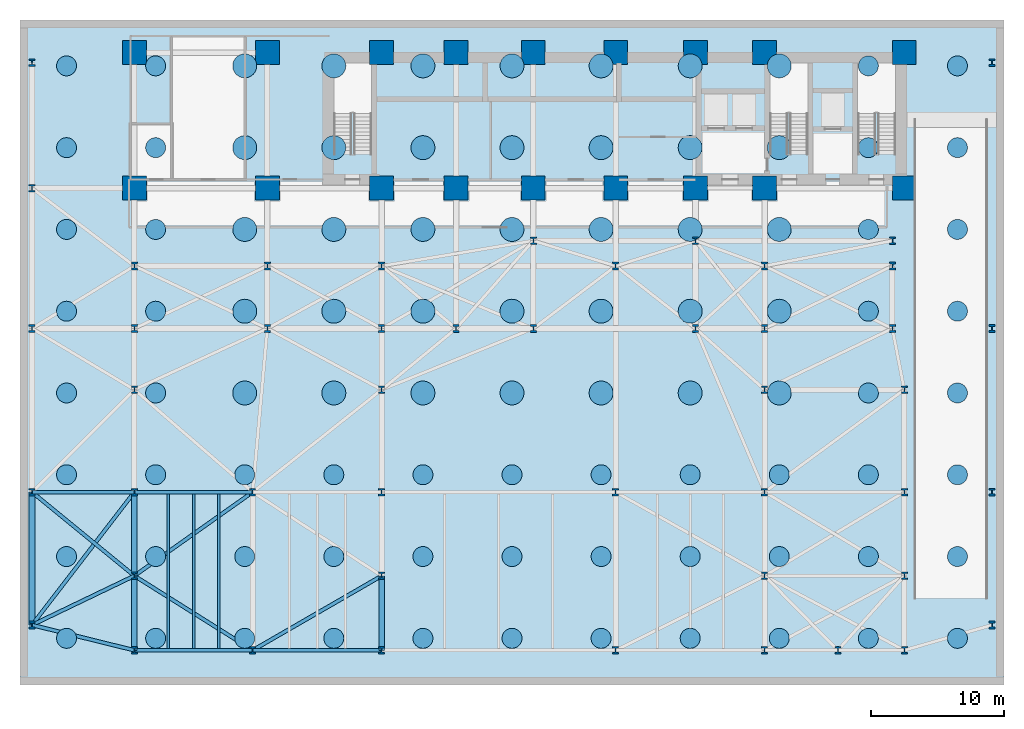
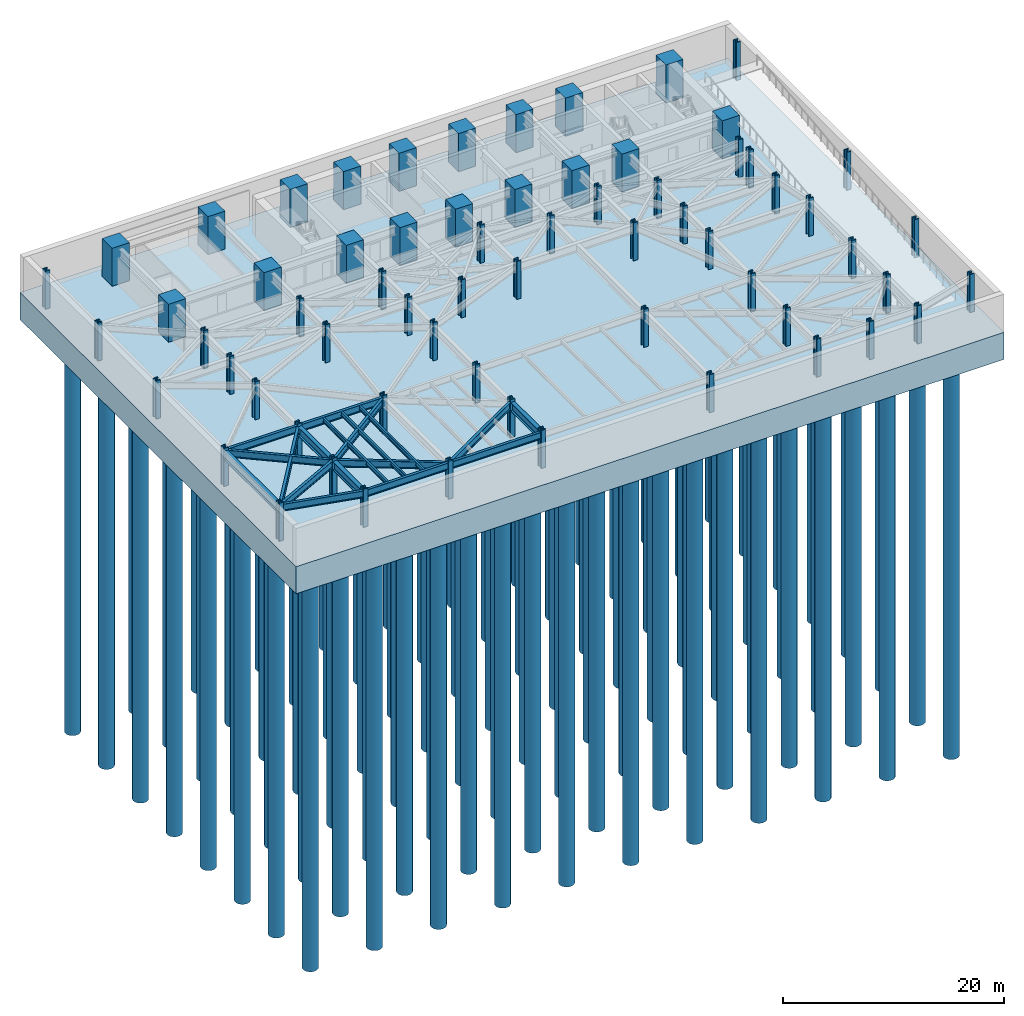
# One storey, part 1 of 12: 88 piles, 65 columns, 18 beams, 1 footing.
"""IFC4 building model written with IfcOpenShell, lengths in metres."""

import ifcopenshell
import ifcopenshell.guid

model = None  # the IFC model being written
_history = None  # IfcOwnerHistory: only IFC2X3 demands one
_inside = {}  # id of a spatial element -> (the spatial element, [elements in it])
_under = {}  # id of a project, library or spatial element -> (it, [spatial elements below it])
_declared = {}  # id of a project -> (the project, [libraries it declares])
_typed = {}  # id of a type object -> (the type object, [elements of that type])
_made_of = {}  # id of a material, layer set ... -> (it, [elements and type objects made of it])


def new_model(schema):
    """Start an empty IFC model of exactly this schema.

    Asked for "IFC4X3", IfcOpenShell would pick the latest addendum, in which some entities
    have other attributes; the version numbers below select the first issue.
    IFC2X3 requires an IfcOwnerHistory on every rooted entity: one is made here for all.
    """
    global model, _history
    if schema == "IFC4X3":
        model = ifcopenshell.file(schema_version=(4, 3, 0, 0))
    else:
        model = ifcopenshell.file(schema=schema)
    _inside.clear()
    _under.clear()
    _declared.clear()
    _typed.clear()
    _made_of.clear()
    _history = None
    if model.schema == "IFC2X3":
        org = make("IfcOrganization", Name="unknown")
        user = make(
            "IfcPersonAndOrganization",
            ThePerson=make("IfcPerson", FamilyName="unknown"),
            TheOrganization=org,
        )
        app = make(
            "IfcApplication",
            ApplicationDeveloper=org,
            Version="unknown",
            ApplicationFullName="unknown",
            ApplicationIdentifier="unknown",
        )
        _history = make(
            "IfcOwnerHistory",
            OwningUser=user,
            OwningApplication=app,
            ChangeAction="ADDED",
            CreationDate=0,
        )
    return model


def make(cls, **values):
    """One entity of the class cls with the attributes given. An attribute that is None is left unset."""
    return model.create_entity(
        cls, **{name: value for name, value in values.items() if value is not None}
    )


def rooted(cls, **values):
    """An entity with a GlobalId (a new one), such as an element, a storey or a relation."""
    return make(cls, GlobalId=ifcopenshell.guid.new(), OwnerHistory=_history, **values)


def si_unit(unit_type, name, prefix=None):
    """IfcSIUnit, for example si_unit("LENGTHUNIT", "METRE", prefix="MILLI")."""
    return make("IfcSIUnit", UnitType=unit_type, Prefix=prefix, Name=name)


def assignment(units):
    """IfcUnitAssignment: the units of a project."""
    return None if units is None else make("IfcUnitAssignment", Units=units)


def point(xyz):
    """IfcCartesianPoint."""
    return None if xyz is None else make("IfcCartesianPoint", Coordinates=xyz)


def direction(xyz):
    """IfcDirection."""
    return None if xyz is None else make("IfcDirection", DirectionRatios=xyz)


def frame(location, z_axis=None, x_axis=None):
    """IfcAxis2Placement3D, a coordinate frame: its origin and axes. An axis left out is left unset."""
    return make(
        "IfcAxis2Placement3D",
        Location=point(location),
        Axis=direction(z_axis),
        RefDirection=direction(x_axis),
    )


def frame_2d(location, x_axis=None):
    """IfcAxis2Placement2D, a coordinate frame in the plane: its origin and x axis."""
    return make(
        "IfcAxis2Placement2D", Location=point(location), RefDirection=direction(x_axis)
    )


def origin():
    """The frame at (0, 0, 0) with its axes left unset."""
    return frame((0.0, 0.0, 0.0))


def origin_2d():
    """The frame at (0, 0) in the plane with its x axis left unset."""
    return frame_2d((0.0, 0.0))


def place(relative_to, where):
    """IfcLocalPlacement: puts the frame where relative to a parent placement (None: the world)."""
    return make(
        "IfcLocalPlacement", PlacementRelTo=relative_to, RelativePlacement=where
    )


def context(
    kind, dimensions, precision=None, world=None, true_north=None, identifier=None
):
    """IfcGeometricRepresentationContext, for example the 3D "Model" context."""
    return make(
        "IfcGeometricRepresentationContext",
        ContextIdentifier=identifier,
        ContextType=kind,
        CoordinateSpaceDimension=dimensions,
        Precision=precision,
        WorldCoordinateSystem=world,
        TrueNorth=true_north,
    )


def subcontext(parent, identifier, kind, view, scale=None):
    """IfcGeometricRepresentationSubContext, for example "Body" below "Model"."""
    return make(
        "IfcGeometricRepresentationSubContext",
        ContextIdentifier=identifier,
        ContextType=kind,
        ParentContext=parent,
        TargetScale=scale,
        TargetView=view,
    )


def project(units=None, contexts=None):
    """IfcProject with its units and contexts."""
    return rooted(
        "IfcProject",
        Name="project",
        RepresentationContexts=contexts,
        UnitsInContext=assignment(units),
    )


def spatial(cls, under=None, at=None, **own):
    """A site, building, storey or space (cls), placed at a placement, below another one or the project."""
    s = rooted(cls, ObjectPlacement=at, **own)
    if under is not None:
        _under.setdefault(under.id(), (under, []))[1].append(s)
    return s


def polyline(points):
    """IfcPolyline through the points."""
    return make("IfcPolyline", Points=[point(p) for p in points])


def profile(cls, at=None, kind="AREA", **sizes):
    """A parametric profile (cls). Its sizes go by their IFC names, for example OverallWidth=200.0."""
    return make(cls, ProfileType=kind, Position=at, **sizes)


def rectangle(**sizes):
    """IfcRectangleProfileDef."""
    return profile("IfcRectangleProfileDef", **sizes)


def circle(**sizes):
    """IfcCircleProfileDef."""
    return profile("IfcCircleProfileDef", **sizes)


def i_section(**sizes):
    """IfcIShapeProfileDef."""
    return profile("IfcIShapeProfileDef", **sizes)


def outline(outer, holes=None, kind="AREA"):
    """IfcArbitraryClosedProfileDef: a profile drawn as a closed curve; with holes, ...WithVoids."""
    if holes is None:
        return make("IfcArbitraryClosedProfileDef", ProfileType=kind, OuterCurve=outer)
    return make(
        "IfcArbitraryProfileDefWithVoids",
        ProfileType=kind,
        OuterCurve=outer,
        InnerCurves=holes,
    )


def extrude(swept, where, along, depth):
    """IfcExtrudedAreaSolid: the profile swept, set in the frame where, extruded along a direction by depth."""
    return make(
        "IfcExtrudedAreaSolid",
        SweptArea=swept,
        Position=where,
        ExtrudedDirection=direction(along),
        Depth=depth,
    )


def shape(context_of_items, identifier, shape_type, items):
    """IfcShapeRepresentation: the items that make up one representation, for example the "Body"."""
    return make(
        "IfcShapeRepresentation",
        ContextOfItems=context_of_items,
        RepresentationIdentifier=identifier,
        RepresentationType=shape_type,
        Items=items,
    )


def material(Name=None, Category=None):
    """IfcMaterial."""
    return make("IfcMaterial", Name=Name, Category=Category)


def layer(
    of_material, thickness, ventilated=None, Name=None, Category=None, Priority=None
):
    """IfcMaterialLayer: one layer of a wall or slab, of a material (None: an air gap)."""
    return make(
        "IfcMaterialLayer",
        Material=of_material,
        LayerThickness=thickness,
        IsVentilated=ventilated,
        Name=Name,
        Category=Category,
        Priority=Priority,
    )


def layer_set(layers, Name=None):
    """IfcMaterialLayerSet."""
    return make("IfcMaterialLayerSet", MaterialLayers=layers, LayerSetName=Name)


def material_profile(
    of_material, cross_section, Name=None, Category=None, Priority=None
):
    """IfcMaterialProfile: a cross section and its material."""
    return make(
        "IfcMaterialProfile",
        Name=Name,
        Material=of_material,
        Profile=cross_section,
        Priority=Priority,
        Category=Category,
    )


def profile_set(profiles, Name=None, composite=None):
    """IfcMaterialProfileSet."""
    return make(
        "IfcMaterialProfileSet",
        Name=Name,
        MaterialProfiles=profiles,
        CompositeProfile=composite,
    )


def made_of(thing, what):
    """Note that an element or type object is made of a material, layer set ...; save() writes the relation."""
    if what is not None:
        _made_of.setdefault(what.id(), (what, []))[1].append(thing)
    return thing


def type_object(cls, material=None, **own):
    """A type object (cls), such as IfcWallType, which elements share."""
    return made_of(rooted(cls, **own), material)


def element(
    cls,
    number,
    at=None,
    inside=None,
    cuts=None,
    type_object=None,
    material=None,
    context=None,
    identifier="Body",
    shape_type=None,
    held_by="IfcProductDefinitionShape",
    body=None,
    shapes=None,
    **own,
):
    """One element of the class cls, such as IfcWall. Its Tag is "e" and its number.

    at: its placement. inside: the storey or other place that contains it. cuts: it is an
    opening in that element (IfcRelVoidsElement). A single representation is given by context,
    identifier, shape_type and body (its items); several are given by shapes. held_by: the class
    of the entity that holds the representations. save() writes the other relations.
    """
    e = rooted(cls, Tag="e%d" % number, ObjectPlacement=at, **own)
    if body is not None:
        shapes = [shape(context, identifier, shape_type, body)]
    if shapes is not None:
        e.Representation = make(held_by, Representations=shapes)
    if inside is not None:
        _inside.setdefault(inside.id(), (inside, []))[1].append(e)
    if cuts is not None:
        rooted(
            "IfcRelVoidsElement", RelatingBuildingElement=cuts, RelatedOpeningElement=e
        )
    if type_object is not None:
        _typed.setdefault(type_object.id(), (type_object, []))[1].append(e)
    return made_of(e, material)


def aggregate(whole, parts):
    """IfcRelAggregates: a whole, such as a stair, and the parts it consists of."""
    return rooted("IfcRelAggregates", RelatingObject=whole, RelatedObjects=parts)


def save(model, path):
    """Write the relations noted so far, then the file.

    IfcRelAggregates (storeys below a building ...), IfcRelContainedInSpatialStructure (elements
    in a storey), IfcRelDefinesByType, IfcRelAssociatesMaterial and IfcRelDeclares: one each for
    every whole, place, type object, material and project.
    """
    for whole, parts in _under.values():
        aggregate(whole, parts)
    for where, things in _inside.values():
        rooted(
            "IfcRelContainedInSpatialStructure",
            RelatedElements=things,
            RelatingStructure=where,
        )
    for kind, things in _typed.values():
        rooted("IfcRelDefinesByType", RelatedObjects=things, RelatingType=kind)
    for what, things in _made_of.values():
        rooted("IfcRelAssociatesMaterial", RelatedObjects=things, RelatingMaterial=what)
    for by, libraries in _declared.values():
        rooted("IfcRelDeclares", RelatingContext=by, RelatedDefinitions=libraries)
    model.write(path)


model = new_model("IFC4")

# Units and contexts
model_context = context("Model", 3, precision=1e-05, world=origin(), true_north=direction((0.0, 1.0)))
body_context = subcontext(model_context, "Body", "Model", "MODEL_VIEW")
ifc_project = project(units=[si_unit("LENGTHUNIT", "METRE"), si_unit("AREAUNIT", "SQUARE_METRE"), si_unit("VOLUMEUNIT", "CUBIC_METRE"), si_unit("PLANEANGLEUNIT", "RADIAN"), si_unit("MASSUNIT", "GRAM", prefix="KILO")], contexts=[model_context])

# Site, building, storey
site_placement = place(None, origin())
site = spatial("IfcSite", under=ifc_project, at=site_placement, CompositionType="ELEMENT")
building_placement = place(site_placement, origin())
building = spatial("IfcBuilding", under=site, at=building_placement, Name="Kravanh Interchange Tower", CompositionType="ELEMENT")
storey_placement = place(building_placement, frame((0.0, 0.0, -8.39990234375)))
storey = spatial("IfcBuildingStorey", under=building, at=storey_placement, Name="B2", CompositionType="ELEMENT", Elevation=-8.39990234375)

# Footing
ifc_material_1 = material(Name="Concrete C60/75", Category="concrete")
ifc_layer = layer(ifc_material_1, 3.0)
ifc_layer_set = layer_set([ifc_layer], Name="Piled Raft Foundation Concrete C60/75 3000mm")
footing_type = type_object("IfcFootingType", Name="Piled Raft Foundation Concrete C60/75 3000mm", PredefinedType="PILE_CAP", material=ifc_layer_set)
footing_placement = place(storey_placement, frame((0.0, 0.0, -3.0)))
element("IfcFooting", 1, at=footing_placement, inside=storey, type_object=footing_type, Name="Piled Raft Foundation FT-RAFT", PredefinedType="PILE_CAP", context=body_context, shape_type="SweptSolid", body=[
    extrude(outline(polyline([(0.0, 0.0), (74.0, 0.0), (74.0, 50.0), (0.0, 50.0), (0.0, 0.0)])), origin(), (0.0, 0.0, 1.0), 3.0),
])

# Piles
ifc_material_2 = material(Name="Concrete C50/60", Category="concrete")
ifc_material_profile_1 = material_profile(ifc_material_2, circle(Radius=0.75, at=origin_2d()), Name="PILE-D1500")
ifc_profile_set_1 = profile_set([ifc_material_profile_1], Name="Concrete C50/60")
pile_type_1 = type_object("IfcPileType", Name="Rotary Bored Pile Concrete C50/60 D1500", PredefinedType="BORED", material=ifc_profile_set_1)
for number, where, z_axis, x_axis, name in (
    (2, (3.5, 3.5, -2.800048828125), (0.0, 0.0, -1.0), (1.0, 0.0, 0.0), "Bored Pile PILE-001"),
    (3, (10.199951171875, 3.5, -2.800048828125), (0.0, 0.0, -1.0), (1.0, 0.0, 0.0), "Bored Pile PILE-002"),
    (4, (16.89990234375, 3.5, -2.800048828125), (0.0, 0.0, -1.0), (1.0, 0.0, 0.0), "Bored Pile PILE-003"),
    (5, (23.60009765625, 3.5, -2.800048828125), (0.0, 0.0, -1.0), (1.0, 0.0, 0.0), "Bored Pile PILE-004"),
    (6, (30.300048828125, 3.5, -2.800048828125), (0.0, 0.0, -1.0), (1.0, 0.0, 0.0), "Bored Pile PILE-005"),
    (7, (37.0, 3.5, -2.800048828125), (0.0, 0.0, -1.0), (1.0, 0.0, 0.0), "Bored Pile PILE-006"),
    (8, (43.699951171875, 3.5, -2.800048828125), (0.0, 0.0, -1.0), (1.0, 0.0, 0.0), "Bored Pile PILE-007"),
    (9, (50.39990234375, 3.5, -2.800048828125), (0.0, 0.0, -1.0), (1.0, 0.0, 0.0), "Bored Pile PILE-008"),
    (10, (57.10009765625, 3.5, -2.800048828125), (0.0, 0.0, -1.0), (1.0, 0.0, 0.0), "Bored Pile PILE-009"),
    (11, (63.800048828125, 3.5, -2.800048828125), (0.0, 0.0, -1.0), (1.0, 0.0, 0.0), "Bored Pile PILE-010"),
    (12, (70.5, 3.5, -2.800048828125), (0.0, 0.0, -1.0), (1.0, 0.0, 0.0), "Bored Pile PILE-011"),
    (13, (3.5, 9.64990234375, -2.800048828125), (0.0, 0.0, -1.0), (1.0, 0.0, 0.0), "Bored Pile PILE-012"),
    (14, (10.199951171875, 9.64990234375, -2.800048828125), (0.0, 0.0, -1.0), (1.0, 0.0, 0.0), "Bored Pile PILE-013"),
    (15, (16.89990234375, 9.64990234375, -2.800048828125), (0.0, 0.0, -1.0), (1.0, 0.0, 0.0), "Bored Pile PILE-014"),
    (16, (23.60009765625, 9.64990234375, -2.800048828125), (0.0, 0.0, -1.0), (1.0, 0.0, 0.0), "Bored Pile PILE-015"),
    (17, (30.300048828125, 9.64990234375, -2.800048828125), (0.0, 0.0, -1.0), (1.0, 0.0, 0.0), "Bored Pile PILE-016"),
    (18, (37.0, 9.64990234375, -2.800048828125), (0.0, 0.0, -1.0), (1.0, 0.0, 0.0), "Bored Pile PILE-017"),
    (19, (43.699951171875, 9.64990234375, -2.800048828125), (0.0, 0.0, -1.0), (1.0, 0.0, 0.0), "Bored Pile PILE-018"),
    (20, (50.39990234375, 9.64990234375, -2.800048828125), (0.0, 0.0, -1.0), (1.0, 0.0, 0.0), "Bored Pile PILE-019"),
    (21, (57.10009765625, 9.64990234375, -2.800048828125), (0.0, 0.0, -1.0), (1.0, 0.0, 0.0), "Bored Pile PILE-020"),
    (22, (63.800048828125, 9.64990234375, -2.800048828125), (0.0, 0.0, -1.0), (1.0, 0.0, 0.0), "Bored Pile PILE-021"),
    (23, (70.5, 9.64990234375, -2.800048828125), (0.0, 0.0, -1.0), (1.0, 0.0, 0.0), "Bored Pile PILE-022"),
    (24, (3.5, 15.800048828125, -2.800048828125), (0.0, 0.0, -1.0), (1.0, 0.0, 0.0), "Bored Pile PILE-023"),
    (25, (10.199951171875, 15.800048828125, -2.800048828125), (0.0, 0.0, -1.0), (1.0, 0.0, 0.0), "Bored Pile PILE-024"),
    (26, (16.89990234375, 15.800048828125, -2.800048828125), (0.0, 0.0, -1.0), (1.0, 0.0, 0.0), "Bored Pile PILE-025"),
    (27, (23.60009765625, 15.800048828125, -2.800048828125), (0.0, 0.0, -1.0), (1.0, 0.0, 0.0), "Bored Pile PILE-026"),
    (28, (30.300048828125, 15.800048828125, -2.800048828125), (0.0, 0.0, -1.0), (1.0, 0.0, 0.0), "Bored Pile PILE-027"),
    (29, (37.0, 15.800048828125, -2.800048828125), (0.0, 0.0, -1.0), (1.0, 0.0, 0.0), "Bored Pile PILE-028"),
    (30, (43.699951171875, 15.800048828125, -2.800048828125), (0.0, 0.0, -1.0), (1.0, 0.0, 0.0), "Bored Pile PILE-029"),
    (31, (50.39990234375, 15.800048828125, -2.800048828125), (0.0, 0.0, -1.0), (1.0, 0.0, 0.0), "Bored Pile PILE-030"),
    (32, (57.10009765625, 15.800048828125, -2.800048828125), (0.0, 0.0, -1.0), (1.0, 0.0, 0.0), "Bored Pile PILE-031"),
    (33, (63.800048828125, 15.800048828125, -2.800048828125), (0.0, 0.0, -1.0), (1.0, 0.0, 0.0), "Bored Pile PILE-032"),
    (34, (70.5, 15.800048828125, -2.800048828125), (0.0, 0.0, -1.0), (1.0, 0.0, 0.0), "Bored Pile PILE-033"),
    (35, (3.5, 21.949951171875, -2.800048828125), (0.0, 0.0, -1.0), (1.0, 0.0, 0.0), "Bored Pile PILE-034"),
    (36, (10.199951171875, 21.949951171875, -2.800048828125), (0.0, 0.0, -1.0), (1.0, 0.0, 0.0), "Bored Pile PILE-035"),
    (37, (63.800048828125, 21.949951171875, -2.800048828125), (0.0, 0.0, -1.0), (1.0, 0.0, 0.0), "Bored Pile PILE-043"),
    (38, (70.5, 21.949951171875, -2.800048828125), (0.0, 0.0, -1.0), (1.0, 0.0, 0.0), "Bored Pile PILE-044"),
    (39, (3.5, 28.10009765625, -2.800048828125), (0.0, 0.0, -1.0), (1.0, 0.0, 0.0), "Bored Pile PILE-045"),
    (40, (10.199951171875, 28.10009765625, -2.800048828125), (0.0, 0.0, -1.0), (1.0, 0.0, 0.0), "Bored Pile PILE-046"),
    (41, (63.800048828125, 28.10009765625, -2.800048828125), (0.0, 0.0, -1.0), (1.0, 0.0, 0.0), "Bored Pile PILE-054"),
    (42, (70.5, 28.10009765625, -2.800048828125), (0.0, 0.0, -1.0), (1.0, 0.0, 0.0), "Bored Pile PILE-055"),
    (43, (3.5, 34.25, -2.800048828125), (0.0, 0.0, -1.0), (1.0, 0.0, 0.0), "Bored Pile PILE-056"),
    (44, (10.199951171875, 34.25, -2.800048828125), (0.0, 0.0, -1.0), (1.0, 0.0, 0.0), "Bored Pile PILE-057"),
    (45, (63.800048828125, 34.25, -2.800048828125), (0.0, 0.0, -1.0), (1.0, 0.0, 0.0), "Bored Pile PILE-065"),
    (46, (70.5, 34.25, -2.800048828125), (0.0, 0.0, -1.0), (1.0, 0.0, 0.0), "Bored Pile PILE-066"),
    (47, (3.5, 40.39990234375, -2.800048828125), (0.0, 0.0, -1.0), (1.0, 0.0, 0.0), "Bored Pile PILE-067"),
    (48, (10.199951171875, 40.39990234375, -2.800048828125), (0.0, 0.0, -1.0), (1.0, 0.0, 0.0), "Bored Pile PILE-068"),
    (49, (63.800048828125, 40.39990234375, -2.800048828125), (0.0, 0.0, -1.0), (1.0, 0.0, 0.0), "Bored Pile PILE-076"),
    (50, (70.5, 40.39990234375, -2.800048828125), (0.0, 0.0, -1.0), (1.0, 0.0, 0.0), "Bored Pile PILE-077"),
    (51, (3.5, 46.550048828125, -2.800048828125), (0.0, 0.0, -1.0), (1.0, 0.0, 0.0), "Bored Pile PILE-078"),
    (52, (10.199951171875, 46.550048828125, -2.800048828125), (0.0, 0.0, -1.0), (1.0, 0.0, 0.0), "Bored Pile PILE-079"),
    (53, (63.800048828125, 46.550048828125, -2.800048828125), (0.0, 0.0, -1.0), (1.0, 0.0, 0.0), "Bored Pile PILE-087"),
    (54, (70.5, 46.550048828125, -2.800048828125), (0.0, 0.0, -1.0), (1.0, 0.0, 0.0), "Bored Pile PILE-088"),
):
    element("IfcPile", number, at=place(storey_placement, frame(where, z_axis=z_axis, x_axis=x_axis)), inside=storey, type_object=pile_type_1, Name=name, PredefinedType="BORED", context=body_context, shape_type="SweptSolid", body=[
        extrude(circle(Radius=0.75, at=origin_2d()), origin(), (0.0, 0.0, 1.0), 44.800048828125),
    ])
ifc_material_3 = material(Name="Concrete C50/60", Category="concrete")
ifc_material_profile_2 = material_profile(ifc_material_3, circle(Radius=0.89990234375, at=origin_2d()), Name="PILE-D1800")
ifc_profile_set_2 = profile_set([ifc_material_profile_2], Name="Concrete C50/60")
pile_type_2 = type_object("IfcPileType", Name="Rotary Bored Pile Concrete C50/60 D1800", PredefinedType="BORED", material=ifc_profile_set_2)
for number, where, z_axis, x_axis, name in (
    (55, (16.89990234375, 21.949951171875, -2.800048828125), (0.0, 0.0, -1.0), (1.0, 0.0, 0.0), "Bored Pile PILE-036"),
    (56, (23.60009765625, 21.949951171875, -2.800048828125), (0.0, 0.0, -1.0), (1.0, 0.0, 0.0), "Bored Pile PILE-037"),
    (57, (30.300048828125, 21.949951171875, -2.800048828125), (0.0, 0.0, -1.0), (1.0, 0.0, 0.0), "Bored Pile PILE-038"),
    (58, (37.0, 21.949951171875, -2.800048828125), (0.0, 0.0, -1.0), (1.0, 0.0, 0.0), "Bored Pile PILE-039"),
    (59, (43.699951171875, 21.949951171875, -2.800048828125), (0.0, 0.0, -1.0), (1.0, 0.0, 0.0), "Bored Pile PILE-040"),
    (60, (50.39990234375, 21.949951171875, -2.800048828125), (0.0, 0.0, -1.0), (1.0, 0.0, 0.0), "Bored Pile PILE-041"),
    (61, (57.10009765625, 21.949951171875, -2.800048828125), (0.0, 0.0, -1.0), (1.0, 0.0, 0.0), "Bored Pile PILE-042"),
    (62, (16.89990234375, 28.10009765625, -2.800048828125), (0.0, 0.0, -1.0), (1.0, 0.0, 0.0), "Bored Pile PILE-047"),
    (63, (23.60009765625, 28.10009765625, -2.800048828125), (0.0, 0.0, -1.0), (1.0, 0.0, 0.0), "Bored Pile PILE-048"),
    (64, (30.300048828125, 28.10009765625, -2.800048828125), (0.0, 0.0, -1.0), (1.0, 0.0, 0.0), "Bored Pile PILE-049"),
    (65, (37.0, 28.10009765625, -2.800048828125), (0.0, 0.0, -1.0), (1.0, 0.0, 0.0), "Bored Pile PILE-050"),
    (66, (43.699951171875, 28.10009765625, -2.800048828125), (0.0, 0.0, -1.0), (1.0, 0.0, 0.0), "Bored Pile PILE-051"),
    (67, (50.39990234375, 28.10009765625, -2.800048828125), (0.0, 0.0, -1.0), (1.0, 0.0, 0.0), "Bored Pile PILE-052"),
    (68, (57.10009765625, 28.10009765625, -2.800048828125), (0.0, 0.0, -1.0), (1.0, 0.0, 0.0), "Bored Pile PILE-053"),
    (69, (16.89990234375, 34.25, -2.800048828125), (0.0, 0.0, -1.0), (1.0, 0.0, 0.0), "Bored Pile PILE-058"),
    (70, (23.60009765625, 34.25, -2.800048828125), (0.0, 0.0, -1.0), (1.0, 0.0, 0.0), "Bored Pile PILE-059"),
    (71, (30.300048828125, 34.25, -2.800048828125), (0.0, 0.0, -1.0), (1.0, 0.0, 0.0), "Bored Pile PILE-060"),
    (72, (37.0, 34.25, -2.800048828125), (0.0, 0.0, -1.0), (1.0, 0.0, 0.0), "Bored Pile PILE-061"),
    (73, (43.699951171875, 34.25, -2.800048828125), (0.0, 0.0, -1.0), (1.0, 0.0, 0.0), "Bored Pile PILE-062"),
    (74, (50.39990234375, 34.25, -2.800048828125), (0.0, 0.0, -1.0), (1.0, 0.0, 0.0), "Bored Pile PILE-063"),
    (75, (57.10009765625, 34.25, -2.800048828125), (0.0, 0.0, -1.0), (1.0, 0.0, 0.0), "Bored Pile PILE-064"),
    (76, (16.89990234375, 40.39990234375, -2.800048828125), (0.0, 0.0, -1.0), (1.0, 0.0, 0.0), "Bored Pile PILE-069"),
    (77, (23.60009765625, 40.39990234375, -2.800048828125), (0.0, 0.0, -1.0), (1.0, 0.0, 0.0), "Bored Pile PILE-070"),
    (78, (30.300048828125, 40.39990234375, -2.800048828125), (0.0, 0.0, -1.0), (1.0, 0.0, 0.0), "Bored Pile PILE-071"),
    (79, (37.0, 40.39990234375, -2.800048828125), (0.0, 0.0, -1.0), (1.0, 0.0, 0.0), "Bored Pile PILE-072"),
    (80, (43.699951171875, 40.39990234375, -2.800048828125), (0.0, 0.0, -1.0), (1.0, 0.0, 0.0), "Bored Pile PILE-073"),
    (81, (50.39990234375, 40.39990234375, -2.800048828125), (0.0, 0.0, -1.0), (1.0, 0.0, 0.0), "Bored Pile PILE-074"),
    (82, (57.10009765625, 40.39990234375, -2.800048828125), (0.0, 0.0, -1.0), (1.0, 0.0, 0.0), "Bored Pile PILE-075"),
    (83, (16.89990234375, 46.550048828125, -2.800048828125), (0.0, 0.0, -1.0), (1.0, 0.0, 0.0), "Bored Pile PILE-080"),
    (84, (23.60009765625, 46.550048828125, -2.800048828125), (0.0, 0.0, -1.0), (1.0, 0.0, 0.0), "Bored Pile PILE-081"),
    (85, (30.300048828125, 46.550048828125, -2.800048828125), (0.0, 0.0, -1.0), (1.0, 0.0, 0.0), "Bored Pile PILE-082"),
    (86, (37.0, 46.550048828125, -2.800048828125), (0.0, 0.0, -1.0), (1.0, 0.0, 0.0), "Bored Pile PILE-083"),
    (87, (43.699951171875, 46.550048828125, -2.800048828125), (0.0, 0.0, -1.0), (1.0, 0.0, 0.0), "Bored Pile PILE-084"),
    (88, (50.39990234375, 46.550048828125, -2.800048828125), (0.0, 0.0, -1.0), (1.0, 0.0, 0.0), "Bored Pile PILE-085"),
    (89, (57.10009765625, 46.550048828125, -2.800048828125), (0.0, 0.0, -1.0), (1.0, 0.0, 0.0), "Bored Pile PILE-086"),
):
    element("IfcPile", number, at=place(storey_placement, frame(where, z_axis=z_axis, x_axis=x_axis)), inside=storey, type_object=pile_type_2, Name=name, PredefinedType="BORED", context=body_context, shape_type="SweptSolid", body=[
        extrude(circle(Radius=0.89990234375, at=origin_2d()), origin(), (0.0, 0.0, 1.0), 44.800048828125),
    ])

# Columns
ifc_material_4 = material(Name="Concrete C80/95", Category="concrete")
ifc_material_profile_3 = material_profile(ifc_material_4, rectangle(XDim=1.800048828125, YDim=1.800048828125, at=origin_2d()), Name="RC1800X1800")
ifc_profile_set_3 = profile_set([ifc_material_profile_3], Name="Concrete C80/95")
column_type_1 = type_object("IfcColumnType", Name="Column RC1800X1800 Concrete C80/95", PredefinedType="COLUMN", material=ifc_profile_set_3)
for number, where, z_axis, x_axis, name in (
    (90, (66.5, 47.550048828125, 0.0), (0.0, 0.0, 1.0), (1.0, 0.0, 0.0), "B2 Column CS01"),
    (91, (56.0, 47.550048828125, 0.0), (0.0, 0.0, 1.0), (1.0, 0.0, 0.0), "B2 Column CS02"),
    (92, (66.5, 37.35009765625, 0.0), (0.0, 0.0, 1.0), (1.0, 0.0, 0.0), "B2 Column CS03"),
    (93, (56.0, 37.35009765625, 0.0), (0.0, 0.0, 1.0), (1.0, 0.0, 0.0), "B2 Column CS04"),
    (94, (50.800048828125, 47.550048828125, 0.0), (0.0, 0.0, 1.0), (1.0, 0.0, 0.0), "B2 Column CS05"),
    (95, (50.800048828125, 37.35009765625, 0.0), (0.0, 0.0, 1.0), (1.0, 0.0, 0.0), "B2 Column CS06"),
    (96, (44.800048828125, 37.35009765625, 0.0), (0.0, 0.0, 1.0), (1.0, 0.0, 0.0), "B2 Column CS07"),
    (97, (44.800048828125, 47.550048828125, 0.0), (0.0, 0.0, 1.0), (1.0, 0.0, 0.0), "B2 Column CS08"),
    (98, (38.60009765625, 37.35009765625, 0.0), (0.0, 0.0, 1.0), (1.0, 0.0, 0.0), "B2 Column CS09"),
    (99, (38.60009765625, 47.550048828125, 0.0), (0.0, 0.0, 1.0), (1.0, 0.0, 0.0), "B2 Column CS10"),
    (100, (32.800048828125, 37.35009765625, 0.0), (0.0, 0.0, 1.0), (1.0, 0.0, 0.0), "B2 Column CS11"),
    (101, (32.800048828125, 47.550048828125, 0.0), (0.0, 0.0, 1.0), (1.0, 0.0, 0.0), "B2 Column CS12"),
    (102, (27.199951171875, 37.35009765625, 0.0), (0.0, 0.0, 1.0), (1.0, 0.0, 0.0), "B2 Column CS13"),
    (103, (27.199951171875, 47.550048828125, 0.0), (0.0, 0.0, 1.0), (1.0, 0.0, 0.0), "B2 Column CS14"),
    (104, (18.60009765625, 37.35009765625, 0.0), (0.0, 0.0, 1.0), (1.0, 0.0, 0.0), "B2 Column CS17"),
    (105, (18.60009765625, 47.550048828125, 0.0), (0.0, 0.0, 1.0), (1.0, 0.0, 0.0), "B2 Column CS18"),
    (106, (8.60009765625, 37.35009765625, 0.0), (0.0, 0.0, 1.0), (1.0, 0.0, 0.0), "B2 Column CS23"),
    (107, (8.60009765625, 47.550048828125, 0.0), (0.0, 0.0, 1.0), (1.0, 0.0, 0.0), "B2 Column CS24"),
):
    element("IfcColumn", number, at=place(storey_placement, frame(where, z_axis=z_axis, x_axis=x_axis)), inside=storey, type_object=column_type_1, Name=name, PredefinedType="COLUMN", context=body_context, shape_type="SweptSolid", body=[
        extrude(rectangle(XDim=1.800048828125, YDim=1.800048828125, at=origin_2d()), origin(), (0.0, 0.0, 1.0), 4.199951171875),
    ])
ifc_material_5 = material(Name="Structural Steel S450", Category="steel")
ifc_material_profile_4 = material_profile(ifc_material_5, i_section(OverallWidth=0.4541015625, OverallDepth=0.569091796875, WebThickness=0.077880859375, FlangeThickness=0.124755859375, FilletRadius=0.030029296875, at=origin_2d()), Name="W14X730")
ifc_profile_set_4 = profile_set([ifc_material_profile_4], Name="Structural Steel S450")
column_type_2 = type_object("IfcColumnType", Name="Column W14X730 Structural Steel S450", PredefinedType="COLUMN", material=ifc_profile_set_4)
for number, where, z_axis, x_axis, name in (
    (108, (8.60009765625, 2.60009765625, 0.0), (0.0, 0.0, 1.0), (1.0, 0.0, 0.0), "B2 Column CP01"),
    (109, (17.5, 2.60009765625, 0.0), (0.0, 0.0, 1.0), (1.0, 0.0, 0.0), "B2 Column CP02"),
    (110, (27.199951171875, 2.60009765625, 0.0), (0.0, 0.0, 1.0), (1.0, 0.0, 0.0), "B2 Column CP03"),
    (111, (44.800048828125, 2.60009765625, 0.0), (0.0, 0.0, 1.0), (1.0, 0.0, 0.0), "B2 Column CP04"),
    (112, (56.0, 2.60009765625, 0.0), (0.0, 0.0, 1.0), (1.0, 0.0, 0.0), "B2 Column CP05"),
    (113, (61.5, 2.60009765625, 0.0), (0.0, 0.0, 1.0), (1.0, 0.0, 0.0), "B2 Column CP05B"),
    (114, (66.5, 2.60009765625, 0.0), (0.0, 0.0, 1.0), (1.0, 0.0, 0.0), "B2 Column CP06"),
    (115, (8.60009765625, 8.199951171875, 0.0), (0.0, 0.0, 1.0), (1.0, 0.0, 0.0), "B2 Column CP06B"),
    (116, (27.199951171875, 8.199951171875, 0.0), (0.0, 0.0, 1.0), (1.0, 0.0, 0.0), "B2 Column CP06C"),
    (117, (56.0, 8.199951171875, 0.0), (0.0, 0.0, 1.0), (1.0, 0.0, 0.0), "B2 Column CP06D"),
    (118, (66.5, 8.199951171875, 0.0), (0.0, 0.0, 1.0), (1.0, 0.0, 0.0), "B2 Column CP06E"),
    (119, (8.60009765625, 14.5, 0.0), (0.0, 0.0, 1.0), (1.0, 0.0, 0.0), "B2 Column CP07"),
    (120, (17.5, 14.5, 0.0), (0.0, 0.0, 1.0), (1.0, 0.0, 0.0), "B2 Column CP08"),
    (121, (27.199951171875, 14.5, 0.0), (0.0, 0.0, 1.0), (1.0, 0.0, 0.0), "B2 Column CP09"),
    (122, (44.800048828125, 14.5, 0.0), (0.0, 0.0, 1.0), (1.0, 0.0, 0.0), "B2 Column CP10"),
    (123, (56.0, 14.5, 0.0), (0.0, 0.0, 1.0), (1.0, 0.0, 0.0), "B2 Column CP11"),
    (124, (66.5, 14.5, 0.0), (0.0, 0.0, 1.0), (1.0, 0.0, 0.0), "B2 Column CP12"),
    (125, (8.60009765625, 22.199951171875, 0.0), (0.0, 0.0, 1.0), (1.0, 0.0, 0.0), "B2 Column CP12B"),
    (126, (27.199951171875, 22.199951171875, 0.0), (0.0, 0.0, 1.0), (1.0, 0.0, 0.0), "B2 Column CP12C"),
    (127, (56.0, 22.199951171875, 0.0), (0.0, 0.0, 1.0), (1.0, 0.0, 0.0), "B2 Column CP12D"),
    (128, (66.5, 22.199951171875, 0.0), (0.0, 0.0, 1.0), (1.0, 0.0, 0.0), "B2 Column CP12E"),
    (129, (8.60009765625, 26.800048828125, 0.0), (0.0, 0.0, 1.0), (1.0, 0.0, 0.0), "B2 Column CP13"),
    (130, (18.60009765625, 26.800048828125, 0.0), (0.0, 0.0, 1.0), (1.0, 0.0, 0.0), "B2 Column CP14"),
    (131, (27.199951171875, 26.800048828125, 0.0), (0.0, 0.0, 1.0), (1.0, 0.0, 0.0), "B2 Column CP15"),
    (132, (32.800048828125, 26.800048828125, 0.0), (0.0, 0.0, 1.0), (1.0, 0.0, 0.0), "B2 Column CP16"),
    (133, (38.60009765625, 26.800048828125, 0.0), (0.0, 0.0, 1.0), (1.0, 0.0, 0.0), "B2 Column CP16B"),
    (134, (50.800048828125, 26.800048828125, 0.0), (0.0, 0.0, 1.0), (1.0, 0.0, 0.0), "B2 Column CP17"),
    (135, (56.0, 26.800048828125, 0.0), (0.0, 0.0, 1.0), (1.0, 0.0, 0.0), "B2 Column CP18"),
    (136, (65.60009765625, 26.800048828125, 0.0), (0.0, 0.0, 1.0), (1.0, 0.0, 0.0), "B2 Column CP19"),
    (137, (8.60009765625, 31.5, 0.0), (0.0, 0.0, 1.0), (1.0, 0.0, 0.0), "B2 Column CP19B"),
    (138, (18.60009765625, 31.5, 0.0), (0.0, 0.0, 1.0), (1.0, 0.0, 0.0), "B2 Column CP20"),
    (139, (27.199951171875, 31.5, 0.0), (0.0, 0.0, 1.0), (1.0, 0.0, 0.0), "B2 Column CP21"),
    (140, (44.800048828125, 31.5, 0.0), (0.0, 0.0, 1.0), (1.0, 0.0, 0.0), "B2 Column CP22"),
    (141, (56.0, 31.5, 0.0), (0.0, 0.0, 1.0), (1.0, 0.0, 0.0), "B2 Column CP23"),
    (142, (65.60009765625, 31.5, 0.0), (0.0, 0.0, 1.0), (1.0, 0.0, 0.0), "B2 Column CP24"),
    (143, (0.89990234375, 4.5, 0.0), (0.0, 0.0, 1.0), (1.0, 0.0, 0.0), "B2 Column CP25"),
    (144, (0.89990234375, 14.5, 0.0), (0.0, 0.0, 1.0), (1.0, 0.0, 0.0), "B2 Column CP25B"),
    (145, (0.89990234375, 26.800048828125, 0.0), (0.0, 0.0, 1.0), (1.0, 0.0, 0.0), "B2 Column CP25C"),
    (146, (0.89990234375, 37.35009765625, 0.0), (0.0, 0.0, 1.0), (1.0, 0.0, 0.0), "B2 Column CP25D"),
    (147, (0.89990234375, 46.800048828125, 0.0), (0.0, 0.0, 1.0), (1.0, 0.0, 0.0), "B2 Column CP26"),
    (148, (73.10009765625, 4.5, 0.0), (0.0, 0.0, 1.0), (1.0, 0.0, 0.0), "B2 Column CP27"),
    (149, (73.10009765625, 14.5, 0.0), (0.0, 0.0, 1.0), (1.0, 0.0, 0.0), "B2 Column CP27B"),
    (150, (73.10009765625, 26.800048828125, 0.0), (0.0, 0.0, 1.0), (1.0, 0.0, 0.0), "B2 Column CP27C"),
    (151, (73.10009765625, 46.800048828125, 0.0), (0.0, 0.0, 1.0), (1.0, 0.0, 0.0), "B2 Column CP28"),
    (152, (38.60009765625, 33.39990234375, 0.0), (0.0, 0.0, 1.0), (1.0, 0.0, 0.0), "B2 Column CP_M1"),
    (153, (50.800048828125, 33.39990234375, 0.0), (0.0, 0.0, 1.0), (1.0, 0.0, 0.0), "B2 Column CP_M2"),
    (154, (65.60009765625, 33.39990234375, 0.0), (0.0, 0.0, 1.0), (1.0, 0.0, 0.0), "B2 Column CP_M3"),
):
    element("IfcColumn", number, at=place(storey_placement, frame(where, z_axis=z_axis, x_axis=x_axis)), inside=storey, type_object=column_type_2, Name=name, PredefinedType="COLUMN", context=body_context, shape_type="SweptSolid", body=[
        extrude(i_section(OverallWidth=0.4541015625, OverallDepth=0.569091796875, WebThickness=0.077880859375, FlangeThickness=0.124755859375, FilletRadius=0.030029296875, at=origin_2d()), origin(), (0.0, 0.0, 1.0), 4.199951171875),
    ])

# Beams
ifc_material_6 = material(Name="Structural Steel S450", Category="steel")
ifc_material_profile_5 = material_profile(ifc_material_6, i_section(OverallWidth=0.423095703125, OverallDepth=0.947998046875, WebThickness=0.02392578125, FlangeThickness=0.042724609375, FilletRadius=0.028076171875, at=origin_2d()), Name="W36X302")
ifc_profile_set_5 = profile_set([ifc_material_profile_5], Name="Structural Steel S450")
beam_type_1 = type_object("IfcBeamType", Name="Floor Beam W36X302 Structural Steel S450", PredefinedType="BEAM", material=ifc_profile_set_5)
for number, where, z_axis, x_axis, name in (
    (155, (8.60009765625, 2.60009765625, 3.42578125), (0.0, 1.0, 0.0), (-1.0, 0.0, 0.0), "B2 Primary Floor Girder 1"),
    (156, (27.199951171875, 2.60009765625, 3.42578125), (0.0, 1.0, 0.0), (-1.0, 0.0, 0.0), "B2 Primary Floor Girder 8"),
):
    element("IfcBeam", number, at=place(storey_placement, frame(where, z_axis=z_axis, x_axis=x_axis)), inside=storey, type_object=beam_type_1, Name=name, PredefinedType="BEAM", context=body_context, shape_type="SweptSolid", body=[
        extrude(i_section(OverallWidth=0.423095703125, OverallDepth=0.947998046875, WebThickness=0.02392578125, FlangeThickness=0.042724609375, FilletRadius=0.028076171875, at=origin_2d()), origin(), (0.0, 0.0, 1.0), 5.599853515625),
    ])
beam_1_placement = place(storey_placement, frame((8.60009765625, 8.199951171875, 3.42578125), z_axis=(0.0, 1.0, 0.0), x_axis=(-1.0, 0.0, 0.0)))
element("IfcBeam", 157, at=beam_1_placement, inside=storey, type_object=beam_type_1, Name="B2 Primary Floor Girder 23", PredefinedType="BEAM", context=body_context, shape_type="SweptSolid", body=[
    extrude(i_section(OverallWidth=0.423095703125, OverallDepth=0.947998046875, WebThickness=0.02392578125, FlangeThickness=0.042724609375, FilletRadius=0.028076171875, at=origin_2d()), origin(), (0.0, 0.0, 1.0), 6.300048828125),
])
beam_2_placement = place(storey_placement, frame((0.89990234375, 4.5, 3.42578125), z_axis=(0.0, 1.0, 0.0), x_axis=(-1.0, 0.0, 0.0)))
element("IfcBeam", 158, at=beam_2_placement, inside=storey, type_object=beam_type_1, Name="B2 Primary Floor Girder 122", PredefinedType="BEAM", context=body_context, shape_type="SweptSolid", body=[
    extrude(i_section(OverallWidth=0.423095703125, OverallDepth=0.947998046875, WebThickness=0.02392578125, FlangeThickness=0.042724609375, FilletRadius=0.028076171875, at=origin_2d()), origin(), (0.0, 0.0, 1.0), 10.0),
])
ifc_material_7 = material(Name="Structural Steel S355", Category="steel")
ifc_material_profile_6 = material_profile(ifc_material_7, i_section(OverallWidth=0.18994140625, OverallDepth=0.45703125, WebThickness=0.009033203125, FlangeThickness=0.014404296875, FilletRadius=0.01806640625, at=origin_2d()), Name="W18X50")
ifc_profile_set_6 = profile_set([ifc_material_profile_6], Name="Structural Steel S355")
beam_type_2 = type_object("IfcBeamType", Name="Floor Joist W18X50 Structural Steel S355", PredefinedType="JOIST", material=ifc_profile_set_6)
for number, where, z_axis, x_axis, name in (
    (159, (11.14990234375, 2.728515625, 3.67138671875), (0.0, 1.0, 0.0), (-1.0, 0.0, 0.0), "B2 Secondary Floor Joist 1"),
    (160, (13.050048828125, 2.728515625, 3.67138671875), (0.0, 1.0, 0.0), (-1.0, 0.0, 0.0), "B2 Secondary Floor Joist 2"),
    (161, (14.949951171875, 2.728515625, 3.67138671875), (0.0, 1.0, 0.0), (-1.0, 0.0, 0.0), "B2 Secondary Floor Joist 3"),
):
    element("IfcBeam", number, at=place(storey_placement, frame(where, z_axis=z_axis, x_axis=x_axis)), inside=storey, type_object=beam_type_2, Name=name, PredefinedType="JOIST", context=body_context, shape_type="SweptSolid", body=[
        extrude(i_section(OverallWidth=0.18994140625, OverallDepth=0.45703125, WebThickness=0.009033203125, FlangeThickness=0.014404296875, FilletRadius=0.01806640625, at=origin_2d()), origin(), (0.0, 0.0, 1.0), 11.64306640625),
    ])
ifc_material_8 = material(Name="Structural Steel S355", Category="steel")
ifc_material_profile_7 = material_profile(ifc_material_8, i_section(OverallWidth=0.26708984375, OverallDepth=0.761962890625, WebThickness=0.014404296875, FlangeThickness=0.021484375, FilletRadius=0.02490234375, at=origin_2d()), Name="W30X116")
ifc_profile_set_7 = profile_set([ifc_material_profile_7], Name="Structural Steel S355")
beam_type_3 = type_object("IfcBeamType", Name="Floor Spandrel W30X116 Structural Steel S355", PredefinedType="SPANDREL", material=ifc_profile_set_7)
beam_3_placement = place(storey_placement, frame((8.60009765625, 2.60009765625, 3.518798828125), z_axis=(-0.970883936595, 0.239550373956, 0.0), x_axis=(-0.239550373956, -0.970883936595, 0.0)))
element("IfcBeam", 162, at=beam_3_placement, inside=storey, type_object=beam_type_3, Name="B2 Perimeter Spandrel 2", PredefinedType="SPANDREL", context=body_context, shape_type="SweptSolid", body=[
    extrude(i_section(OverallWidth=0.26708984375, OverallDepth=0.761962890625, WebThickness=0.014404296875, FlangeThickness=0.021484375, FilletRadius=0.02490234375, at=origin_2d()), origin(), (0.0, 0.0, 1.0), 7.93115234375),
])
beam_4_placement = place(storey_placement, frame((8.60009765625, 2.60009765625, 3.518798828125), z_axis=(1.0, 0.0, 0.0), x_axis=(0.0, 1.0, 0.0)))
element("IfcBeam", 163, at=beam_4_placement, inside=storey, type_object=beam_type_3, Name="B2 Perimeter Spandrel 3", PredefinedType="SPANDREL", context=body_context, shape_type="SweptSolid", body=[
    extrude(i_section(OverallWidth=0.26708984375, OverallDepth=0.761962890625, WebThickness=0.014404296875, FlangeThickness=0.021484375, FilletRadius=0.02490234375, at=origin_2d()), origin(), (0.0, 0.0, 1.0), 8.89990234375),
])
beam_5_placement = place(storey_placement, frame((17.5, 2.60009765625, 3.518798828125), z_axis=(1.0, 0.0, 0.0), x_axis=(0.0, 1.0, 0.0)))
element("IfcBeam", 164, at=beam_5_placement, inside=storey, type_object=beam_type_3, Name="B2 Perimeter Spandrel 4", PredefinedType="SPANDREL", context=body_context, shape_type="SweptSolid", body=[
    extrude(i_section(OverallWidth=0.26708984375, OverallDepth=0.761962890625, WebThickness=0.014404296875, FlangeThickness=0.021484375, FilletRadius=0.02490234375, at=origin_2d()), origin(), (0.0, 0.0, 1.0), 9.699951171875),
])
beam_6_placement = place(storey_placement, frame((17.5, 2.60009765625, 3.518798828125), z_axis=(-0.846395259538, 0.532555222143, 0.0), x_axis=(-0.532555222143, -0.846395259538, 0.0)))
element("IfcBeam", 165, at=beam_6_placement, inside=storey, type_object=beam_type_3, Name="B2 Perimeter Spandrel 5", PredefinedType="SPANDREL", context=body_context, shape_type="SweptSolid", body=[
    extrude(i_section(OverallWidth=0.26708984375, OverallDepth=0.761962890625, WebThickness=0.014404296875, FlangeThickness=0.021484375, FilletRadius=0.02490234375, at=origin_2d()), origin(), (0.0, 0.0, 1.0), 10.51513671875),
])
beam_7_placement = place(storey_placement, frame((17.5, 2.60009765625, 3.518798828125), z_axis=(0.866041482502, 0.499972149811, 0.0), x_axis=(-0.499972149811, 0.866041482502, 0.0)))
element("IfcBeam", 166, at=beam_7_placement, inside=storey, type_object=beam_type_3, Name="B2 Perimeter Spandrel 6", PredefinedType="SPANDREL", context=body_context, shape_type="SweptSolid", body=[
    extrude(i_section(OverallWidth=0.26708984375, OverallDepth=0.761962890625, WebThickness=0.014404296875, FlangeThickness=0.021484375, FilletRadius=0.02490234375, at=origin_2d()), origin(), (0.0, 0.0, 1.0), 11.200439453125),
])
beam_8_placement = place(storey_placement, frame((8.60009765625, 8.199951171875, 3.518798828125), z_axis=(-0.901346832937, -0.433098010563, 0.0), x_axis=(0.433098010563, -0.901346832937, 0.0)))
element("IfcBeam", 167, at=beam_8_placement, inside=storey, type_object=beam_type_3, Name="B2 Perimeter Spandrel 24", PredefinedType="SPANDREL", context=body_context, shape_type="SweptSolid", body=[
    extrude(i_section(OverallWidth=0.26708984375, OverallDepth=0.761962890625, WebThickness=0.014404296875, FlangeThickness=0.021484375, FilletRadius=0.02490234375, at=origin_2d()), origin(), (0.0, 0.0, 1.0), 8.54296875),
])
beam_9_placement = place(storey_placement, frame((8.60009765625, 8.199951171875, 3.518798828125), z_axis=(-0.773962765803, 0.633231108799, 0.0), x_axis=(-0.633231108799, -0.773962765803, 0.0)))
element("IfcBeam", 168, at=beam_9_placement, inside=storey, type_object=beam_type_3, Name="B2 Perimeter Spandrel 25", PredefinedType="SPANDREL", context=body_context, shape_type="SweptSolid", body=[
    extrude(i_section(OverallWidth=0.26708984375, OverallDepth=0.761962890625, WebThickness=0.014404296875, FlangeThickness=0.021484375, FilletRadius=0.02490234375, at=origin_2d()), origin(), (0.0, 0.0, 1.0), 9.948974609375),
])
beam_10_placement = place(storey_placement, frame((8.60009765625, 8.199951171875, 3.518798828125), z_axis=(0.816199576272, 0.577770068187, 0.0), x_axis=(-0.577770068187, 0.816199576272, 0.0)))
element("IfcBeam", 169, at=beam_10_placement, inside=storey, type_object=beam_type_3, Name="B2 Perimeter Spandrel 26", PredefinedType="SPANDREL", context=body_context, shape_type="SweptSolid", body=[
    extrude(i_section(OverallWidth=0.26708984375, OverallDepth=0.761962890625, WebThickness=0.014404296875, FlangeThickness=0.021484375, FilletRadius=0.02490234375, at=origin_2d()), origin(), (0.0, 0.0, 1.0), 10.904052734375),
])
beam_11_placement = place(storey_placement, frame((8.60009765625, 14.5, 3.518798828125), z_axis=(-1.0, 0.0, 0.0), x_axis=(0.0, -1.0, 0.0)))
element("IfcBeam", 170, at=beam_11_placement, inside=storey, type_object=beam_type_3, Name="B2 Perimeter Spandrel 38", PredefinedType="SPANDREL", context=body_context, shape_type="SweptSolid", body=[
    extrude(i_section(OverallWidth=0.26708984375, OverallDepth=0.761962890625, WebThickness=0.014404296875, FlangeThickness=0.021484375, FilletRadius=0.02490234375, at=origin_2d()), origin(), (0.0, 0.0, 1.0), 7.7001953125),
])
beam_12_placement = place(storey_placement, frame((8.60009765625, 14.5, 3.518798828125), z_axis=(1.0, 0.0, 0.0), x_axis=(0.0, 1.0, 0.0)))
element("IfcBeam", 171, at=beam_12_placement, inside=storey, type_object=beam_type_3, Name="B2 Perimeter Spandrel 39", PredefinedType="SPANDREL", context=body_context, shape_type="SweptSolid", body=[
    extrude(i_section(OverallWidth=0.26708984375, OverallDepth=0.761962890625, WebThickness=0.014404296875, FlangeThickness=0.021484375, FilletRadius=0.02490234375, at=origin_2d()), origin(), (0.0, 0.0, 1.0), 8.89990234375),
])
beam_13_placement = place(storey_placement, frame((8.60009765625, 14.5, 3.518798828125), z_axis=(-0.610103314761, -0.792321869771, 0.0), x_axis=(0.792321869771, -0.610103314761, 0.0)))
element("IfcBeam", 172, at=beam_13_placement, inside=storey, type_object=beam_type_3, Name="B2 Perimeter Spandrel 40", PredefinedType="SPANDREL", context=body_context, shape_type="SweptSolid", body=[
    extrude(i_section(OverallWidth=0.26708984375, OverallDepth=0.761962890625, WebThickness=0.014404296875, FlangeThickness=0.021484375, FilletRadius=0.02490234375, at=origin_2d()), origin(), (0.0, 0.0, 1.0), 12.62109375),
])

save(model, "model.ifc")
